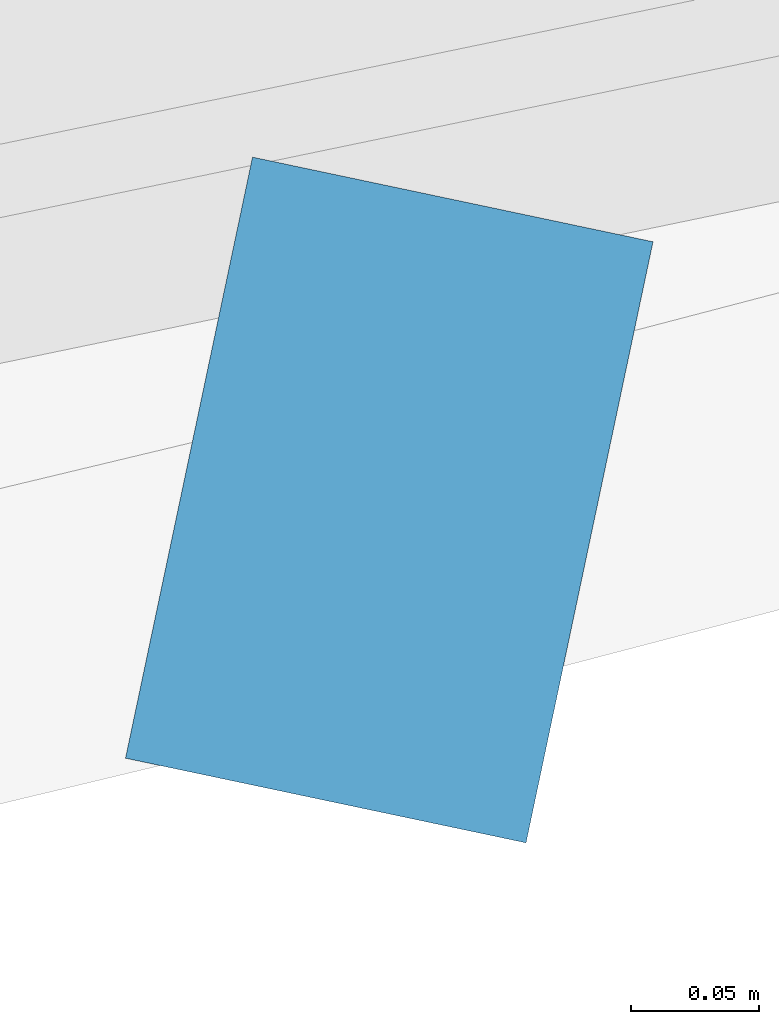
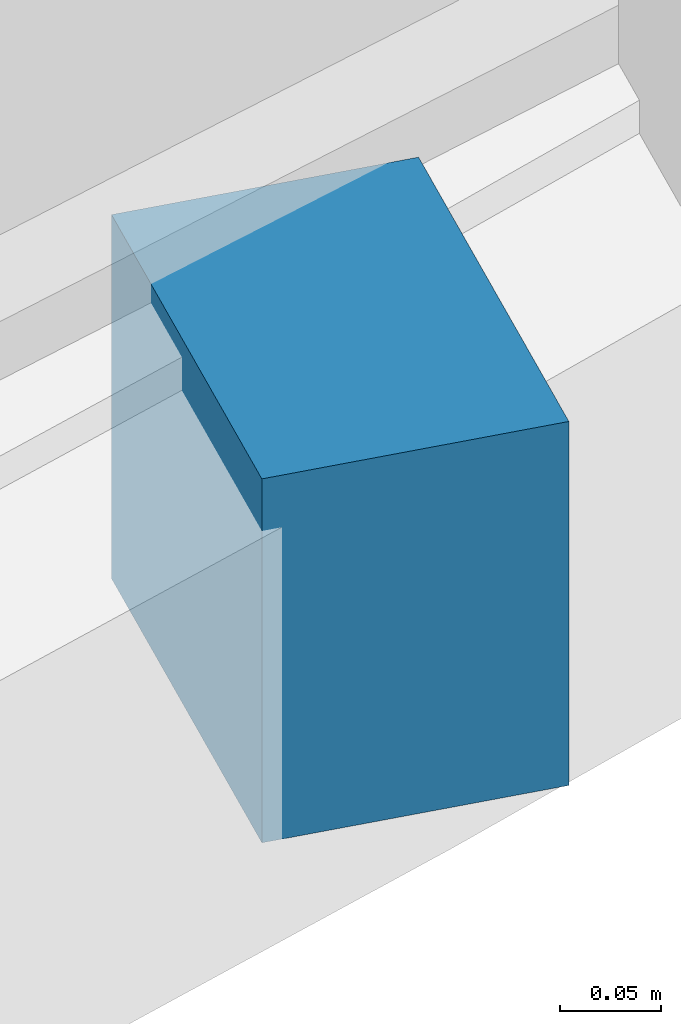
# One storey, part 12 of 18: 1 discrete accessory.
"""IFC4 building model written with IfcOpenShell, lengths in metres."""

from ifc_helpers import new_model, si_unit, direction, frame, origin, origin_2d, place, context, subcontext, project, spatial, rectangle, extrude, material, type_object, element, save


model = new_model("IFC4")

# Units and contexts
model_context = context("Model", 3, precision=1e-05, world=origin(), true_north=direction((0.0, 1.0)))
body_context = subcontext(model_context, "Body", "Model", "MODEL_VIEW")
ifc_project = project(units=[si_unit("LENGTHUNIT", "METRE"), si_unit("AREAUNIT", "SQUARE_METRE"), si_unit("VOLUMEUNIT", "CUBIC_METRE"), si_unit("PLANEANGLEUNIT", "RADIAN"), si_unit("MASSUNIT", "GRAM", prefix="KILO")], contexts=[model_context])

# Site, building, storey
site_placement = place(None, origin())
site = spatial("IfcSite", under=ifc_project, at=site_placement, CompositionType="ELEMENT")
building_placement = place(site_placement, origin())
building = spatial("IfcBuilding", under=site, at=building_placement, Name="Savorim Split Tower", CompositionType="ELEMENT")
storey_placement = place(building_placement, frame((0.0, 0.0, 37.199951171875)))
storey = spatial("IfcBuildingStorey", under=building, at=storey_placement, Name="L09", CompositionType="ELEMENT", Elevation=37.199951171875)

# Discrete accessory
ifc_material = material(Name="Steel S355", Category="steel")
discrete_accessory_type = type_object("IfcDiscreteAccessoryType", Name="ACC-BRK-FIN", PredefinedType="BRACKET", material=ifc_material)
discrete_accessory_placement = place(storey_placement, frame((26.241943359375, -19.881591796875, -0.18994140625), z_axis=(0.0, 0.0, 1.0), x_axis=(-0.206721626106, -0.978399800337, 0.0)))
element("IfcDiscreteAccessory", 1, at=discrete_accessory_placement, inside=storey, type_object=discrete_accessory_type, Name="L09 Fin Slab-Edge Cleat Bracket 13", PredefinedType="BRACKET", context=body_context, shape_type="SweptSolid", body=[
    extrude(rectangle(XDim=0.239990234375, YDim=0.159912109375, at=origin_2d()), origin(), (0.0, 0.0, 1.0), 0.219970703125),
])

save(model, "model.ifc")
